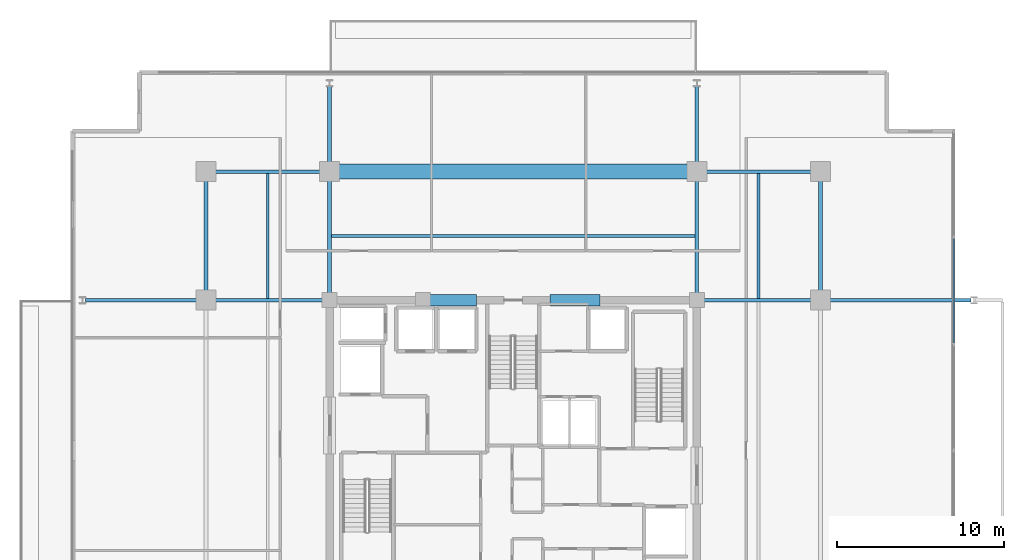
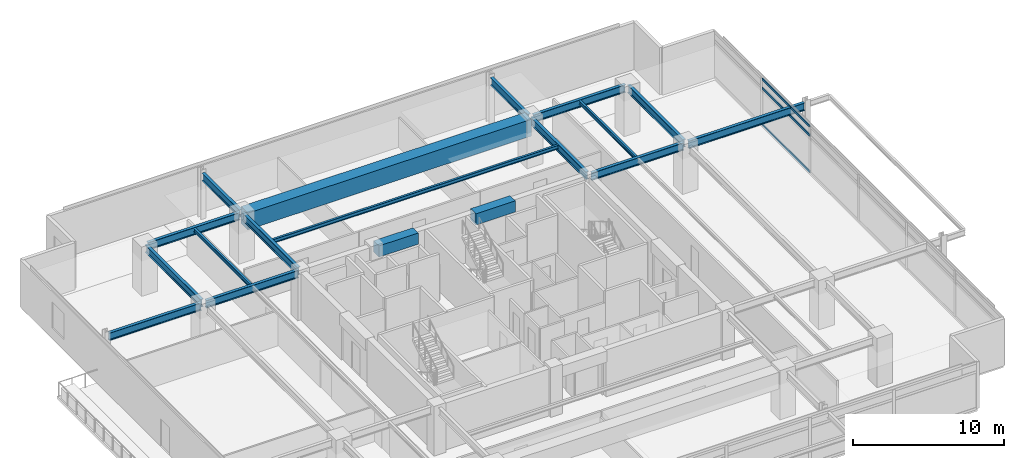
# One storey, part 9 of 19: 18 beams, 3 members, 1 element without a shape of its own.
"""IFC4 building model written with IfcOpenShell, lengths in metres."""

import ifcopenshell
import ifcopenshell.guid

model = None  # the IFC model being written
_history = None  # IfcOwnerHistory: only IFC2X3 demands one
_inside = {}  # id of a spatial element -> (the spatial element, [elements in it])
_under = {}  # id of a project, library or spatial element -> (it, [spatial elements below it])
_declared = {}  # id of a project -> (the project, [libraries it declares])
_typed = {}  # id of a type object -> (the type object, [elements of that type])
_made_of = {}  # id of a material, layer set ... -> (it, [elements and type objects made of it])


def new_model(schema):
    """Start an empty IFC model of exactly this schema.

    Asked for "IFC4X3", IfcOpenShell would pick the latest addendum, in which some entities
    have other attributes; the version numbers below select the first issue.
    IFC2X3 requires an IfcOwnerHistory on every rooted entity: one is made here for all.
    """
    global model, _history
    if schema == "IFC4X3":
        model = ifcopenshell.file(schema_version=(4, 3, 0, 0))
    else:
        model = ifcopenshell.file(schema=schema)
    _inside.clear()
    _under.clear()
    _declared.clear()
    _typed.clear()
    _made_of.clear()
    _history = None
    if model.schema == "IFC2X3":
        org = make("IfcOrganization", Name="unknown")
        user = make(
            "IfcPersonAndOrganization",
            ThePerson=make("IfcPerson", FamilyName="unknown"),
            TheOrganization=org,
        )
        app = make(
            "IfcApplication",
            ApplicationDeveloper=org,
            Version="unknown",
            ApplicationFullName="unknown",
            ApplicationIdentifier="unknown",
        )
        _history = make(
            "IfcOwnerHistory",
            OwningUser=user,
            OwningApplication=app,
            ChangeAction="ADDED",
            CreationDate=0,
        )
    return model


def make(cls, **values):
    """One entity of the class cls with the attributes given. An attribute that is None is left unset."""
    return model.create_entity(
        cls, **{name: value for name, value in values.items() if value is not None}
    )


def rooted(cls, **values):
    """An entity with a GlobalId (a new one), such as an element, a storey or a relation."""
    return make(cls, GlobalId=ifcopenshell.guid.new(), OwnerHistory=_history, **values)


def si_unit(unit_type, name, prefix=None):
    """IfcSIUnit, for example si_unit("LENGTHUNIT", "METRE", prefix="MILLI")."""
    return make("IfcSIUnit", UnitType=unit_type, Prefix=prefix, Name=name)


def assignment(units):
    """IfcUnitAssignment: the units of a project."""
    return None if units is None else make("IfcUnitAssignment", Units=units)


def point(xyz):
    """IfcCartesianPoint."""
    return None if xyz is None else make("IfcCartesianPoint", Coordinates=xyz)


def direction(xyz):
    """IfcDirection."""
    return None if xyz is None else make("IfcDirection", DirectionRatios=xyz)


def frame(location, z_axis=None, x_axis=None):
    """IfcAxis2Placement3D, a coordinate frame: its origin and axes. An axis left out is left unset."""
    return make(
        "IfcAxis2Placement3D",
        Location=point(location),
        Axis=direction(z_axis),
        RefDirection=direction(x_axis),
    )


def frame_2d(location, x_axis=None):
    """IfcAxis2Placement2D, a coordinate frame in the plane: its origin and x axis."""
    return make(
        "IfcAxis2Placement2D", Location=point(location), RefDirection=direction(x_axis)
    )


def origin():
    """The frame at (0, 0, 0) with its axes left unset."""
    return frame((0.0, 0.0, 0.0))


def origin_2d():
    """The frame at (0, 0) in the plane with its x axis left unset."""
    return frame_2d((0.0, 0.0))


def place(relative_to, where):
    """IfcLocalPlacement: puts the frame where relative to a parent placement (None: the world)."""
    return make(
        "IfcLocalPlacement", PlacementRelTo=relative_to, RelativePlacement=where
    )


def context(
    kind, dimensions, precision=None, world=None, true_north=None, identifier=None
):
    """IfcGeometricRepresentationContext, for example the 3D "Model" context."""
    return make(
        "IfcGeometricRepresentationContext",
        ContextIdentifier=identifier,
        ContextType=kind,
        CoordinateSpaceDimension=dimensions,
        Precision=precision,
        WorldCoordinateSystem=world,
        TrueNorth=true_north,
    )


def subcontext(parent, identifier, kind, view, scale=None):
    """IfcGeometricRepresentationSubContext, for example "Body" below "Model"."""
    return make(
        "IfcGeometricRepresentationSubContext",
        ContextIdentifier=identifier,
        ContextType=kind,
        ParentContext=parent,
        TargetScale=scale,
        TargetView=view,
    )


def project(units=None, contexts=None):
    """IfcProject with its units and contexts."""
    return rooted(
        "IfcProject",
        Name="project",
        RepresentationContexts=contexts,
        UnitsInContext=assignment(units),
    )


def spatial(cls, under=None, at=None, **own):
    """A site, building, storey or space (cls), placed at a placement, below another one or the project."""
    s = rooted(cls, ObjectPlacement=at, **own)
    if under is not None:
        _under.setdefault(under.id(), (under, []))[1].append(s)
    return s


def profile(cls, at=None, kind="AREA", **sizes):
    """A parametric profile (cls). Its sizes go by their IFC names, for example OverallWidth=200.0."""
    return make(cls, ProfileType=kind, Position=at, **sizes)


def rectangle(**sizes):
    """IfcRectangleProfileDef."""
    return profile("IfcRectangleProfileDef", **sizes)


def hollow_rectangle(**sizes):
    """IfcRectangleHollowProfileDef."""
    return profile("IfcRectangleHollowProfileDef", **sizes)


def i_section(**sizes):
    """IfcIShapeProfileDef."""
    return profile("IfcIShapeProfileDef", **sizes)


def extrude(swept, where, along, depth):
    """IfcExtrudedAreaSolid: the profile swept, set in the frame where, extruded along a direction by depth."""
    return make(
        "IfcExtrudedAreaSolid",
        SweptArea=swept,
        Position=where,
        ExtrudedDirection=direction(along),
        Depth=depth,
    )


def shape(context_of_items, identifier, shape_type, items):
    """IfcShapeRepresentation: the items that make up one representation, for example the "Body"."""
    return make(
        "IfcShapeRepresentation",
        ContextOfItems=context_of_items,
        RepresentationIdentifier=identifier,
        RepresentationType=shape_type,
        Items=items,
    )


def material(Name=None, Category=None):
    """IfcMaterial."""
    return make("IfcMaterial", Name=Name, Category=Category)


def material_profile(
    of_material, cross_section, Name=None, Category=None, Priority=None
):
    """IfcMaterialProfile: a cross section and its material."""
    return make(
        "IfcMaterialProfile",
        Name=Name,
        Material=of_material,
        Profile=cross_section,
        Priority=Priority,
        Category=Category,
    )


def profile_set(profiles, Name=None, composite=None):
    """IfcMaterialProfileSet."""
    return make(
        "IfcMaterialProfileSet",
        Name=Name,
        MaterialProfiles=profiles,
        CompositeProfile=composite,
    )


def made_of(thing, what):
    """Note that an element or type object is made of a material, layer set ...; save() writes the relation."""
    if what is not None:
        _made_of.setdefault(what.id(), (what, []))[1].append(thing)
    return thing


def type_object(cls, material=None, **own):
    """A type object (cls), such as IfcWallType, which elements share."""
    return made_of(rooted(cls, **own), material)


def element(
    cls,
    number,
    at=None,
    inside=None,
    cuts=None,
    type_object=None,
    material=None,
    context=None,
    identifier="Body",
    shape_type=None,
    held_by="IfcProductDefinitionShape",
    body=None,
    shapes=None,
    **own,
):
    """One element of the class cls, such as IfcWall. Its Tag is "e" and its number.

    at: its placement. inside: the storey or other place that contains it. cuts: it is an
    opening in that element (IfcRelVoidsElement). A single representation is given by context,
    identifier, shape_type and body (its items); several are given by shapes. held_by: the class
    of the entity that holds the representations. save() writes the other relations.
    """
    e = rooted(cls, Tag="e%d" % number, ObjectPlacement=at, **own)
    if body is not None:
        shapes = [shape(context, identifier, shape_type, body)]
    if shapes is not None:
        e.Representation = make(held_by, Representations=shapes)
    if inside is not None:
        _inside.setdefault(inside.id(), (inside, []))[1].append(e)
    if cuts is not None:
        rooted(
            "IfcRelVoidsElement", RelatingBuildingElement=cuts, RelatedOpeningElement=e
        )
    if type_object is not None:
        _typed.setdefault(type_object.id(), (type_object, []))[1].append(e)
    return made_of(e, material)


def aggregate(whole, parts):
    """IfcRelAggregates: a whole, such as a stair, and the parts it consists of."""
    return rooted("IfcRelAggregates", RelatingObject=whole, RelatedObjects=parts)


def save(model, path):
    """Write the relations noted so far, then the file.

    IfcRelAggregates (storeys below a building ...), IfcRelContainedInSpatialStructure (elements
    in a storey), IfcRelDefinesByType, IfcRelAssociatesMaterial and IfcRelDeclares: one each for
    every whole, place, type object, material and project.
    """
    for whole, parts in _under.values():
        aggregate(whole, parts)
    for where, things in _inside.values():
        rooted(
            "IfcRelContainedInSpatialStructure",
            RelatedElements=things,
            RelatingStructure=where,
        )
    for kind, things in _typed.values():
        rooted("IfcRelDefinesByType", RelatedObjects=things, RelatingType=kind)
    for what, things in _made_of.values():
        rooted("IfcRelAssociatesMaterial", RelatedObjects=things, RelatingMaterial=what)
    for by, libraries in _declared.values():
        rooted("IfcRelDeclares", RelatingContext=by, RelatedDefinitions=libraries)
    model.write(path)


model = new_model("IFC4")

# Units and contexts
model_context = context("Model", 3, precision=1e-05, world=origin(), true_north=direction((0.0, 1.0)))
body_context = subcontext(model_context, "Body", "Model", "MODEL_VIEW")
ifc_project = project(units=[si_unit("LENGTHUNIT", "METRE"), si_unit("AREAUNIT", "SQUARE_METRE"), si_unit("VOLUMEUNIT", "CUBIC_METRE"), si_unit("PLANEANGLEUNIT", "RADIAN"), si_unit("MASSUNIT", "GRAM", prefix="KILO")], contexts=[model_context])

# Site, building, storey
site_placement = place(None, origin())
site = spatial("IfcSite", under=ifc_project, at=site_placement, CompositionType="ELEMENT")
building_placement = place(site_placement, origin())
building = spatial("IfcBuilding", under=site, at=building_placement, Name="Kovane Verandah Tower", CompositionType="ELEMENT")
storey_placement = place(building_placement, frame((0.0, 0.0, 255.199951171875)))
storey = spatial("IfcBuildingStorey", under=building, at=storey_placement, Name="L59", CompositionType="ELEMENT", Elevation=255.199951171875)

# Beams
ifc_material_1 = material(Name="Concrete C60/75", Category="concrete")
ifc_material_profile_1 = material_profile(ifc_material_1, rectangle(XDim=0.699951171875, YDim=0.89990234375, at=origin_2d()), Name="RCB700x900")
ifc_profile_set_1 = profile_set([ifc_material_profile_1], Name="Concrete C60/75")
beam_type_1 = type_object("IfcBeamType", Name="BM-LINTEL-700x900", PredefinedType="LINTEL", material=ifc_profile_set_1)
for number, where, z_axis, x_axis, name in (
    (1, (34.800048828125, 36.5, 3.3349609375), (1.0, 0.0, 0.0), (0.0, 1.0, 0.0), "L59 Core Coupling Lintel CL-N1"),
    (2, (42.199951171875, 36.5, 3.3349609375), (1.0, 0.0, 0.0), (0.0, 1.0, 0.0), "L59 Core Coupling Lintel CL-N2"),
):
    element("IfcBeam", number, at=place(storey_placement, frame(where, z_axis=z_axis, x_axis=x_axis)), inside=storey, type_object=beam_type_1, Name=name, PredefinedType="LINTEL", context=body_context, shape_type="SweptSolid", body=[
        extrude(rectangle(XDim=0.699951171875, YDim=0.89990234375, at=origin_2d()), origin(), (0.0, 0.0, 1.0), 3.0),
    ])
ifc_material_2 = material(Name="Concrete C80/95", Category="concrete")
ifc_material_profile_2 = material_profile(ifc_material_2, rectangle(XDim=0.89990234375, YDim=1.35009765625, at=origin_2d()), Name="RCB900x1350")
ifc_profile_set_2 = profile_set([ifc_material_profile_2], Name="Concrete C80/95")
beam_type_2 = type_object("IfcBeamType", Name="BM-TR-900x1350", PredefinedType="BEAM", material=ifc_profile_set_2)
beam_1_placement = place(storey_placement, frame((29.179931640625, 44.199951171875, 3.110107421875), z_axis=(1.0, 0.0, 0.0), x_axis=(0.0, 1.0, 0.0)))
element("IfcBeam", 3, at=beam_1_placement, inside=storey, type_object=beam_type_2, Name="L59 Primary Tower Girder G-RN2", PredefinedType="BEAM", context=body_context, shape_type="SweptSolid", body=[
    extrude(rectangle(XDim=0.89990234375, YDim=1.35009765625, at=origin_2d()), origin(), (0.0, 0.0, 1.0), 21.64013671875),
])
ifc_material_3 = material(Name="Steel S355", Category="steel")
ifc_material_profile_3 = material_profile(ifc_material_3, i_section(OverallWidth=0.230224609375, OverallDepth=0.6171875, WebThickness=0.01318359375, FlangeThickness=0.022216796875, FilletRadius=0.0126953125, at=origin_2d()), Name="UB610x229x140")
ifc_profile_set_3 = profile_set([ifc_material_profile_3], Name="Steel S355")
beam_type_3 = type_object("IfcBeamType", Name="BM-UB610x140", PredefinedType="BEAM", material=ifc_profile_set_3)
for number, where, z_axis, x_axis, name in (
    (4, (21.780029296875, 44.199951171875, 3.4765625), (1.0, 0.0, 0.0), (0.0, 1.0, 0.0), "L59 Primary Tower Girder G-RN1"),
    (5, (51.179931640625, 44.199951171875, 3.4765625), (1.0, 0.0, 0.0), (0.0, 1.0, 0.0), "L59 Primary Tower Girder G-RN3"),
):
    element("IfcBeam", number, at=place(storey_placement, frame(where, z_axis=z_axis, x_axis=x_axis)), inside=storey, type_object=beam_type_3, Name=name, PredefinedType="BEAM", context=body_context, shape_type="SweptSolid", body=[
        extrude(i_section(OverallWidth=0.230224609375, OverallDepth=0.6171875, WebThickness=0.01318359375, FlangeThickness=0.022216796875, FilletRadius=0.0126953125, at=origin_2d()), origin(), (0.0, 0.0, 1.0), 7.0400390625),
    ])
for number, where, z_axis, x_axis, name in (
    (6, (21.60009765625, 36.679931640625, 3.4765625), (0.0, 1.0, 0.0), (-1.0, 0.0, 0.0), "L59 Primary Tower Girder G-RW3"),
    (7, (58.39990234375, 36.679931640625, 3.4765625), (0.0, 1.0, 0.0), (-1.0, 0.0, 0.0), "L59 Primary Tower Girder G-RE3"),
):
    element("IfcBeam", number, at=place(storey_placement, frame(where, z_axis=z_axis, x_axis=x_axis)), inside=storey, type_object=beam_type_3, Name=name, PredefinedType="BEAM", context=body_context, shape_type="SweptSolid", body=[
        extrude(i_section(OverallWidth=0.230224609375, OverallDepth=0.6171875, WebThickness=0.01318359375, FlangeThickness=0.022216796875, FilletRadius=0.0126953125, at=origin_2d()), origin(), (0.0, 0.0, 1.0), 7.340087890625),
    ])
for number, where, z_axis, x_axis, name in (
    (8, (28.820068359375, 36.5, 3.4765625), (-1.0, 0.0, 0.0), (0.0, -1.0, 0.0), "L59 Primary Tower Girder G-W2"),
    (9, (51.179931640625, 36.5, 3.4765625), (1.0, 0.0, 0.0), (0.0, 1.0, 0.0), "L59 Primary Tower Girder G-E2"),
):
    element("IfcBeam", number, at=place(storey_placement, frame(where, z_axis=z_axis, x_axis=x_axis)), inside=storey, type_object=beam_type_3, Name=name, PredefinedType="BEAM", context=body_context, shape_type="SweptSolid", body=[
        extrude(i_section(OverallWidth=0.230224609375, OverallDepth=0.6171875, WebThickness=0.01318359375, FlangeThickness=0.022216796875, FilletRadius=0.0126953125, at=origin_2d()), origin(), (0.0, 0.0, 1.0), 7.0400390625),
    ])
for number, where, z_axis, x_axis, name in (
    (10, (29.0, 36.679931640625, 3.4765625), (0.0, 1.0, 0.0), (-1.0, 0.0, 0.0), "L59 Primary Tower Girder G-N1"),
    (11, (51.0, 36.679931640625, 3.4765625), (0.0, 1.0, 0.0), (-1.0, 0.0, 0.0), "L59 Primary Tower Girder G-N2"),
):
    element("IfcBeam", number, at=place(storey_placement, frame(where, z_axis=z_axis, x_axis=x_axis)), inside=storey, type_object=beam_type_3, Name=name, PredefinedType="BEAM", context=body_context, shape_type="SweptSolid", body=[
        extrude(i_section(OverallWidth=0.230224609375, OverallDepth=0.6171875, WebThickness=0.01318359375, FlangeThickness=0.022216796875, FilletRadius=0.0126953125, at=origin_2d()), origin(), (0.0, 0.0, 1.0), 7.340087890625),
    ])
beam_2_placement = place(storey_placement, frame((21.419921875, 36.5, 3.451416015625), z_axis=(-1.0, 0.0, 0.0), x_axis=(0.0, -1.0, 0.0)))
element("IfcBeam", 12, at=beam_2_placement, inside=storey, type_object=beam_type_3, Name="L59 Primary Tower Girder G-VW2", PredefinedType="BEAM", context=body_context, shape_type="SweptSolid", body=[
    extrude(i_section(OverallWidth=0.230224609375, OverallDepth=0.6171875, WebThickness=0.01318359375, FlangeThickness=0.022216796875, FilletRadius=0.0126953125, at=origin_2d()), origin(), (0.0, 0.0, 1.0), 7.0400390625),
])
beam_3_placement = place(storey_placement, frame((58.580078125, 36.5, 3.451416015625), z_axis=(1.0, 0.0, 0.0), x_axis=(0.0, 1.0, 0.0)))
element("IfcBeam", 13, at=beam_3_placement, inside=storey, type_object=beam_type_3, Name="L59 Primary Tower Girder G-VE2", PredefinedType="BEAM", context=body_context, shape_type="SweptSolid", body=[
    extrude(i_section(OverallWidth=0.230224609375, OverallDepth=0.6171875, WebThickness=0.01318359375, FlangeThickness=0.022216796875, FilletRadius=0.0126953125, at=origin_2d()), origin(), (0.0, 0.0, 1.0), 8.83984375),
])
for number, where, z_axis, x_axis, name in (
    (14, (29.0, 44.3798828125, 3.451416015625), (0.0, 1.0, 0.0), (-1.0, 0.0, 0.0), "L59 Primary Tower Girder G-VN1"),
    (15, (51.0, 44.3798828125, 3.451416015625), (0.0, 1.0, 0.0), (-1.0, 0.0, 0.0), "L59 Primary Tower Girder G-VN2"),
):
    element("IfcBeam", number, at=place(storey_placement, frame(where, z_axis=z_axis, x_axis=x_axis)), inside=storey, type_object=beam_type_3, Name=name, PredefinedType="BEAM", context=body_context, shape_type="SweptSolid", body=[
        extrude(i_section(OverallWidth=0.230224609375, OverallDepth=0.6171875, WebThickness=0.01318359375, FlangeThickness=0.022216796875, FilletRadius=0.0126953125, at=origin_2d()), origin(), (0.0, 0.0, 1.0), 4.940185546875),
    ])

# Curtain wall, members
ifc_material_4 = material(Name="Champagne Anodised Aluminium Frame with Low-E Clear Laminated Glass", Category="aluminium")
curtain_wall_type = type_object("IfcCurtainWallType", Name="CW-SYS-05-HIGH", PredefinedType="NOTDEFINED", material=ifc_material_4)
curtain_wall_placement = place(storey_placement, origin())
curtain_wall = element("IfcCurtainWall", 16, at=curtain_wall_placement, inside=storey, type_object=curtain_wall_type, Name="L59 E Unitised Curtain Wall", PredefinedType="NOTDEFINED")
ifc_material_5 = material(Name="Champagne Anodised Aluminium 6063-T6", Category="aluminium")
ifc_material_profile_4 = material_profile(ifc_material_5, hollow_rectangle(XDim=0.0849609375, YDim=0.18994140625, WallThickness=0.00390625, at=origin_2d()), Name="AL85x190x4")
ifc_profile_set_4 = profile_set([ifc_material_profile_4], Name="Champagne Anodised Aluminium 6063-T6")
member_type = type_object("IfcMemberType", Name="CW-TRN-85x190", PredefinedType="USERDEFINED", material=ifc_profile_set_4)
member_1_placement = place(storey_placement, frame((66.396240234375, 33.92919921875, 0.050048828125), z_axis=(0.0, 1.0, 0.0), x_axis=(-1.0, 0.0, 0.0)))
member_1 = element("IfcMember", 17, at=member_1_placement, type_object=member_type, Name="L59 E Unitised Curtain Wall Transom TB Bay 5", ObjectType="TRANSOM", PredefinedType="USERDEFINED", context=body_context, shape_type="SweptSolid", body=[
    extrude(hollow_rectangle(XDim=0.0849609375, YDim=0.18994140625, WallThickness=0.00390625, at=origin_2d()), origin(), (0.0, 0.0, 1.0), 6.279296875),
])
member_2_placement = place(storey_placement, frame((66.396240234375, 33.92919921875, 3.005126953125), z_axis=(0.0, 1.0, 0.0), x_axis=(-1.0, 0.0, 0.0)))
member_2 = element("IfcMember", 18, at=member_2_placement, type_object=member_type, Name="L59 E Unitised Curtain Wall Transom TM Bay 5", ObjectType="TRANSOM", PredefinedType="USERDEFINED", context=body_context, shape_type="SweptSolid", body=[
    extrude(hollow_rectangle(XDim=0.0849609375, YDim=0.18994140625, WallThickness=0.00390625, at=origin_2d()), origin(), (0.0, 0.0, 1.0), 6.279296875),
])
member_3_placement = place(storey_placement, frame((66.396240234375, 33.92919921875, 3.735107421875), z_axis=(0.0, 1.0, 0.0), x_axis=(-1.0, 0.0, 0.0)))
member_3 = element("IfcMember", 19, at=member_3_placement, type_object=member_type, Name="L59 E Unitised Curtain Wall Transom TT Bay 5", ObjectType="TRANSOM", PredefinedType="USERDEFINED", context=body_context, shape_type="SweptSolid", body=[
    extrude(hollow_rectangle(XDim=0.0849609375, YDim=0.18994140625, WallThickness=0.00390625, at=origin_2d()), origin(), (0.0, 0.0, 1.0), 6.279296875),
])
aggregate(curtain_wall, [member_1, member_2, member_3])

# Beams
ifc_material_profile_5 = material_profile(ifc_material_3, i_section(OverallWidth=0.1669921875, OverallDepth=0.310302734375, WebThickness=0.0078125, FlangeThickness=0.013671875, FilletRadius=0.0087890625, at=origin_2d()), Name="UB305x165x54")
ifc_profile_set_5 = profile_set([ifc_material_profile_5], Name="Steel S355")
beam_type_4 = type_object("IfcBeamType", Name="JST-UB305x54", PredefinedType="JOIST", material=ifc_profile_set_5)
beam_4_placement = place(storey_placement, frame((29.113037109375, 40.35009765625, 3.6298828125), z_axis=(1.0, 0.0, 0.0), x_axis=(0.0, 1.0, 0.0)))
element("IfcBeam", 20, at=beam_4_placement, inside=storey, type_object=beam_type_4, Name="L59 Secondary Composite Joist J-N1", PredefinedType="JOIST", context=body_context, shape_type="SweptSolid", body=[
    extrude(i_section(OverallWidth=0.1669921875, OverallDepth=0.310302734375, WebThickness=0.0078125, FlangeThickness=0.013671875, FilletRadius=0.0087890625, at=origin_2d()), origin(), (0.0, 0.0, 1.0), 21.77392578125),
])
for number, where, z_axis, x_axis, name in (
    (21, (25.300048828125, 36.613037109375, 3.6298828125), (0.0, 1.0, 0.0), (-1.0, 0.0, 0.0), "L59 Secondary Composite Joist J-NW1"),
    (22, (54.699951171875, 36.613037109375, 3.6298828125), (0.0, 1.0, 0.0), (-1.0, 0.0, 0.0), "L59 Secondary Composite Joist J-NE1"),
):
    element("IfcBeam", number, at=place(storey_placement, frame(where, z_axis=z_axis, x_axis=x_axis)), inside=storey, type_object=beam_type_4, Name=name, PredefinedType="JOIST", context=body_context, shape_type="SweptSolid", body=[
        extrude(i_section(OverallWidth=0.1669921875, OverallDepth=0.310302734375, WebThickness=0.0078125, FlangeThickness=0.013671875, FilletRadius=0.0087890625, at=origin_2d()), origin(), (0.0, 0.0, 1.0), 7.473876953125),
    ])

save(model, "model.ifc")
